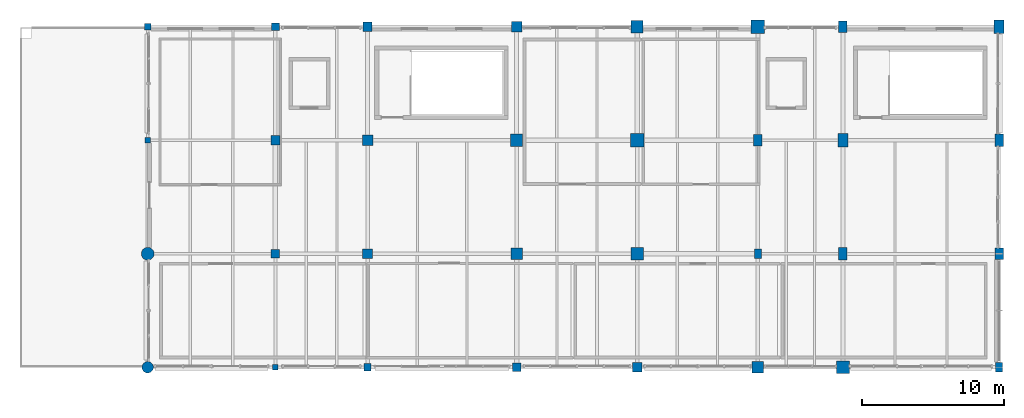
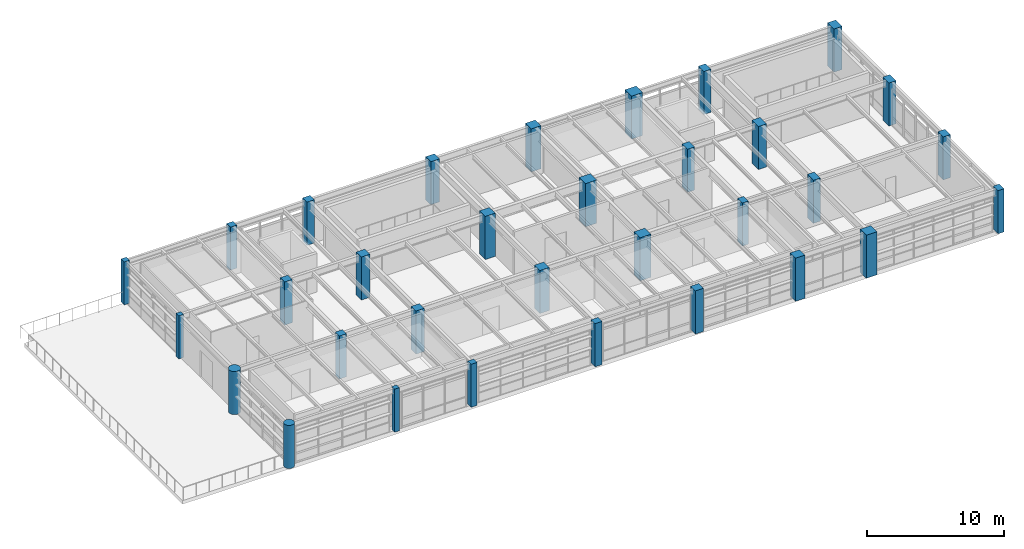
# One storey, part 1 of 26: 32 columns.
"""IFC4 building model written with IfcOpenShell, lengths in metres."""

from ifc_helpers import new_model, si_unit, direction, frame, origin, origin_2d, place, context, subcontext, project, spatial, rectangle, circle, extrude, material, material_profile, profile_set, type_object, element, save


model = new_model("IFC4")

# Units and contexts
model_context = context("Model", 3, precision=1e-05, world=origin(), true_north=direction((0.0, 1.0)))
body_context = subcontext(model_context, "Body", "Model", "MODEL_VIEW")
ifc_project = project(units=[si_unit("LENGTHUNIT", "METRE"), si_unit("AREAUNIT", "SQUARE_METRE"), si_unit("VOLUMEUNIT", "CUBIC_METRE"), si_unit("PLANEANGLEUNIT", "RADIAN"), si_unit("MASSUNIT", "GRAM", prefix="KILO"), si_unit("THERMODYNAMICTEMPERATUREUNIT", "KELVIN"), si_unit("POWERUNIT", "WATT")], contexts=[model_context])

# Site, building, storey
site_placement = place(None, origin())
site = spatial("IfcSite", under=ifc_project, at=site_placement, CompositionType="ELEMENT")
building_placement = place(site_placement, origin())
building = spatial("IfcBuilding", under=site, at=building_placement, Name="Tepalcoro Natatorium and Aquatics Centre", CompositionType="ELEMENT")
storey_placement = place(building_placement, frame((0.0, 0.0, 19.0)))
storey = spatial("IfcBuildingStorey", under=building, at=storey_placement, Name="L04", CompositionType="ELEMENT", Elevation=19.0)

# Columns
ifc_material = material(Name="Concrete C40/50 (fc 40 MPa)", Category="concrete")
ifc_material_profile_1 = material_profile(ifc_material, rectangle(XDim=0.39990234375, YDim=0.39990234375, at=origin_2d()), Name="RC400x400")
ifc_profile_set_1 = profile_set([ifc_material_profile_1], Name="Concrete C40/50 (fc 40 MPa)")
column_type_1 = type_object("IfcColumnType", Name="COL_RC_400x400", PredefinedType="COLUMN", material=ifc_profile_set_1)
for number, where, z_axis, x_axis, name in (
    (1, (116.0, 110.0, 0.0), (0.0, 0.0, 1.0), (1.0, 0.0, 0.0), "V5 L04 Grid Column (116.0, 110.0)"),
    (2, (125.0, 94.0, 0.0), (0.0, 0.0, 1.0), (1.0, 0.0, 0.0), "V5 L04 Grid Column (125.0, 94.0)"),
):
    element("IfcColumn", number, at=place(storey_placement, frame(where, z_axis=z_axis, x_axis=x_axis)), inside=storey, type_object=column_type_1, Name=name, PredefinedType="COLUMN", context=body_context, shape_type="SweptSolid", body=[
        extrude(rectangle(XDim=0.39990234375, YDim=0.39990234375, at=origin_2d()), origin(), (0.0, 0.0, 1.0), 3.85009765625),
    ])
ifc_material_profile_2 = material_profile(ifc_material, rectangle(XDim=0.449951171875, YDim=0.449951171875, at=origin_2d()), Name="RC450x450")
ifc_profile_set_2 = profile_set([ifc_material_profile_2], Name="Concrete C40/50 (fc 40 MPa)")
column_type_2 = type_object("IfcColumnType", Name="COL_RC_450x450", PredefinedType="COLUMN", material=ifc_profile_set_2)
column_1_placement = place(storey_placement, frame((116.0, 118.0, 0.0), z_axis=(0.0, 0.0, 1.0), x_axis=(1.0, 0.0, 0.0)))
element("IfcColumn", 3, at=column_1_placement, inside=storey, type_object=column_type_2, Name="V5 L04 Grid Column (116.0, 118.0)", PredefinedType="COLUMN", context=body_context, shape_type="SweptSolid", body=[
    extrude(rectangle(XDim=0.449951171875, YDim=0.449951171875, at=origin_2d()), origin(), (0.0, 0.0, 1.0), 3.85009765625),
])
ifc_material_profile_3 = material_profile(ifc_material, rectangle(XDim=0.5, YDim=0.5, at=origin_2d()), Name="RC500x500")
ifc_profile_set_3 = profile_set([ifc_material_profile_3], Name="Concrete C40/50 (fc 40 MPa)")
column_type_3 = type_object("IfcColumnType", Name="COL_RC_500x500", PredefinedType="COLUMN", material=ifc_profile_set_3)
column_2_placement = place(storey_placement, frame((131.5, 94.0, 0.0), z_axis=(0.0, 0.0, 1.0), x_axis=(1.0, 0.0, 0.0)))
element("IfcColumn", 4, at=column_2_placement, inside=storey, type_object=column_type_3, Name="V5 L04 Grid Column (131.5, 94.0)", PredefinedType="COLUMN", context=body_context, shape_type="SweptSolid", body=[
    extrude(rectangle(XDim=0.5, YDim=0.5, at=origin_2d()), origin(), (0.0, 0.0, 1.0), 3.85009765625),
])
ifc_material_profile_4 = material_profile(ifc_material, rectangle(XDim=0.5, YDim=0.699951171875, at=origin_2d()), Name="RC500x700")
ifc_profile_set_4 = profile_set([ifc_material_profile_4], Name="Concrete C40/50 (fc 40 MPa)")
column_type_4 = type_object("IfcColumnType", Name="COL_RC_500x700", PredefinedType="COLUMN", material=ifc_profile_set_4)
for number, where, z_axis, x_axis, name in (
    (5, (159.0, 102.0, 0.0), (0.0, 0.0, 1.0), (1.0, 0.0, 0.0), "V5 L04 Grid Column (159.0, 102.0)"),
    (6, (176.0, 94.0, 0.0), (0.0, 0.0, 1.0), (1.0, 0.0, 0.0), "V5 L04 Grid Column (176.0, 94.0)"),
):
    element("IfcColumn", number, at=place(storey_placement, frame(where, z_axis=z_axis, x_axis=x_axis)), inside=storey, type_object=column_type_4, Name=name, PredefinedType="COLUMN", context=body_context, shape_type="SweptSolid", body=[
        extrude(rectangle(XDim=0.5, YDim=0.699951171875, at=origin_2d()), origin(), (0.0, 0.0, 1.0), 3.85009765625),
    ])
ifc_material_profile_5 = material_profile(ifc_material, rectangle(XDim=0.550048828125, YDim=0.550048828125, at=origin_2d()), Name="RC550x550")
ifc_profile_set_5 = profile_set([ifc_material_profile_5], Name="Concrete C40/50 (fc 40 MPa)")
column_type_5 = type_object("IfcColumnType", Name="COL_RC_550x550", PredefinedType="COLUMN", material=ifc_profile_set_5)
column_3_placement = place(storey_placement, frame((125.0, 118.0, 0.0), z_axis=(0.0, 0.0, 1.0), x_axis=(1.0, 0.0, 0.0)))
element("IfcColumn", 7, at=column_3_placement, inside=storey, type_object=column_type_5, Name="V5 L04 Grid Column (125.0, 118.0)", PredefinedType="COLUMN", context=body_context, shape_type="SweptSolid", body=[
    extrude(rectangle(XDim=0.550048828125, YDim=0.550048828125, at=origin_2d()), origin(), (0.0, 0.0, 1.0), 3.85009765625),
])
ifc_material_profile_6 = material_profile(ifc_material, rectangle(XDim=0.60009765625, YDim=0.60009765625, at=origin_2d()), Name="RC600x600")
ifc_profile_set_6 = profile_set([ifc_material_profile_6], Name="Concrete C40/50 (fc 40 MPa)")
column_type_6 = type_object("IfcColumnType", Name="COL_RC_600x600", PredefinedType="COLUMN", material=ifc_profile_set_6)
for number, where, z_axis, x_axis, name in (
    (8, (125.0, 102.0, 0.0), (0.0, 0.0, 1.0), (1.0, 0.0, 0.0), "V5 L04 Grid Column (125.0, 102.0)"),
    (9, (142.0, 94.0, 0.0), (0.0, 0.0, 1.0), (1.0, 0.0, 0.0), "V5 L04 Grid Column (142.0, 94.0)"),
):
    element("IfcColumn", number, at=place(storey_placement, frame(where, z_axis=z_axis, x_axis=x_axis)), inside=storey, type_object=column_type_6, Name=name, PredefinedType="COLUMN", context=body_context, shape_type="SweptSolid", body=[
        extrude(rectangle(XDim=0.60009765625, YDim=0.60009765625, at=origin_2d()), origin(), (0.0, 0.0, 1.0), 3.85009765625),
    ])
ifc_material_profile_7 = material_profile(ifc_material, rectangle(XDim=0.60009765625, YDim=0.800048828125, at=origin_2d()), Name="RC600x800")
ifc_profile_set_7 = profile_set([ifc_material_profile_7], Name="Concrete C40/50 (fc 40 MPa)")
column_type_7 = type_object("IfcColumnType", Name="COL_RC_600x800", PredefinedType="COLUMN", material=ifc_profile_set_7)
for number, where, z_axis, x_axis, name in (
    (10, (159.0, 110.0, 0.0), (0.0, 0.0, 1.0), (1.0, 0.0, 0.0), "V5 L04 Grid Column (159.0, 110.0)"),
    (11, (165.0, 118.0, 0.0), (0.0, 0.0, 1.0), (1.0, 0.0, 0.0), "V5 L04 Grid Column (165.0, 118.0)"),
    (12, (176.0, 102.0, 0.0), (0.0, 0.0, 1.0), (1.0, 0.0, 0.0), "V5 L04 Grid Column (176.0, 102.0)"),
):
    element("IfcColumn", number, at=place(storey_placement, frame(where, z_axis=z_axis, x_axis=x_axis)), inside=storey, type_object=column_type_7, Name=name, PredefinedType="COLUMN", context=body_context, shape_type="SweptSolid", body=[
        extrude(rectangle(XDim=0.60009765625, YDim=0.800048828125, at=origin_2d()), origin(), (0.0, 0.0, 1.0), 3.85009765625),
    ])
ifc_material_profile_8 = material_profile(ifc_material, rectangle(XDim=0.60009765625, YDim=0.89990234375, at=origin_2d()), Name="RC600x900")
ifc_profile_set_8 = profile_set([ifc_material_profile_8], Name="Concrete C40/50 (fc 40 MPa)")
column_type_8 = type_object("IfcColumnType", Name="COL_RC_600x900", PredefinedType="COLUMN", material=ifc_profile_set_8)
for number, where, z_axis, x_axis, name in (
    (13, (165.0, 102.0, 0.0), (0.0, 0.0, 1.0), (1.0, 0.0, 0.0), "V5 L04 Grid Column (165.0, 102.0)"),
    (14, (176.0, 110.0, 0.0), (0.0, 0.0, 1.0), (1.0, 0.0, 0.0), "V5 L04 Grid Column (176.0, 110.0)"),
):
    element("IfcColumn", number, at=place(storey_placement, frame(where, z_axis=z_axis, x_axis=x_axis)), inside=storey, type_object=column_type_8, Name=name, PredefinedType="COLUMN", context=body_context, shape_type="SweptSolid", body=[
        extrude(rectangle(XDim=0.60009765625, YDim=0.89990234375, at=origin_2d()), origin(), (0.0, 0.0, 1.0), 3.85009765625),
    ])
ifc_material_profile_9 = material_profile(ifc_material, rectangle(XDim=0.64990234375, YDim=0.64990234375, at=origin_2d()), Name="RC650x650")
ifc_profile_set_9 = profile_set([ifc_material_profile_9], Name="Concrete C40/50 (fc 40 MPa)")
column_type_9 = type_object("IfcColumnType", Name="COL_RC_650x650", PredefinedType="COLUMN", material=ifc_profile_set_9)
for number, where, z_axis, x_axis, name in (
    (15, (125.0, 110.0, 0.0), (0.0, 0.0, 1.0), (1.0, 0.0, 0.0), "V5 L04 Grid Column (125.0, 110.0)"),
    (16, (131.5, 118.0, 0.0), (0.0, 0.0, 1.0), (1.0, 0.0, 0.0), "V5 L04 Grid Column (131.5, 118.0)"),
):
    element("IfcColumn", number, at=place(storey_placement, frame(where, z_axis=z_axis, x_axis=x_axis)), inside=storey, type_object=column_type_9, Name=name, PredefinedType="COLUMN", context=body_context, shape_type="SweptSolid", body=[
        extrude(rectangle(XDim=0.64990234375, YDim=0.64990234375, at=origin_2d()), origin(), (0.0, 0.0, 1.0), 3.85009765625),
    ])
ifc_material_profile_10 = material_profile(ifc_material, rectangle(XDim=0.699951171875, YDim=0.699951171875, at=origin_2d()), Name="RC700x700")
ifc_profile_set_10 = profile_set([ifc_material_profile_10], Name="Concrete C40/50 (fc 40 MPa)")
column_type_10 = type_object("IfcColumnType", Name="COL_RC_700x700", PredefinedType="COLUMN", material=ifc_profile_set_10)
for number, where, z_axis, x_axis, name in (
    (17, (131.5, 102.0, 0.0), (0.0, 0.0, 1.0), (1.0, 0.0, 0.0), "V5 L04 Grid Column (131.5, 102.0)"),
    (18, (150.5, 94.0, 0.0), (0.0, 0.0, 1.0), (1.0, 0.0, 0.0), "V5 L04 Grid Column (150.5, 94.0)"),
):
    element("IfcColumn", number, at=place(storey_placement, frame(where, z_axis=z_axis, x_axis=x_axis)), inside=storey, type_object=column_type_10, Name=name, PredefinedType="COLUMN", context=body_context, shape_type="SweptSolid", body=[
        extrude(rectangle(XDim=0.699951171875, YDim=0.699951171875, at=origin_2d()), origin(), (0.0, 0.0, 1.0), 3.85009765625),
    ])
ifc_material_profile_11 = material_profile(ifc_material, rectangle(XDim=0.699951171875, YDim=0.949951171875, at=origin_2d()), Name="RC700x950")
ifc_profile_set_11 = profile_set([ifc_material_profile_11], Name="Concrete C40/50 (fc 40 MPa)")
column_type_11 = type_object("IfcColumnType", Name="COL_RC_700x950", PredefinedType="COLUMN", material=ifc_profile_set_11)
for number, where, z_axis, x_axis, name in (
    (19, (165.0, 110.0, 0.0), (0.0, 0.0, 1.0), (1.0, 0.0, 0.0), "V5 L04 Grid Column (165.0, 110.0)"),
    (20, (176.0, 118.0, 0.0), (0.0, 0.0, 1.0), (1.0, 0.0, 0.0), "V5 L04 Grid Column (176.0, 118.0)"),
):
    element("IfcColumn", number, at=place(storey_placement, frame(where, z_axis=z_axis, x_axis=x_axis)), inside=storey, type_object=column_type_11, Name=name, PredefinedType="COLUMN", context=body_context, shape_type="SweptSolid", body=[
        extrude(rectangle(XDim=0.699951171875, YDim=0.949951171875, at=origin_2d()), origin(), (0.0, 0.0, 1.0), 3.85009765625),
    ])
ifc_material_profile_12 = material_profile(ifc_material, rectangle(XDim=0.75, YDim=0.75, at=origin_2d()), Name="RC750x750")
ifc_profile_set_12 = profile_set([ifc_material_profile_12], Name="Concrete C40/50 (fc 40 MPa)")
column_type_12 = type_object("IfcColumnType", Name="COL_RC_750x750", PredefinedType="COLUMN", material=ifc_profile_set_12)
for number, where, z_axis, x_axis, name in (
    (21, (131.5, 110.0, 0.0), (0.0, 0.0, 1.0), (1.0, 0.0, 0.0), "V5 L04 Grid Column (131.5, 110.0)"),
    (22, (142.0, 118.0, 0.0), (0.0, 0.0, 1.0), (1.0, 0.0, 0.0), "V5 L04 Grid Column (142.0, 118.0)"),
):
    element("IfcColumn", number, at=place(storey_placement, frame(where, z_axis=z_axis, x_axis=x_axis)), inside=storey, type_object=column_type_12, Name=name, PredefinedType="COLUMN", context=body_context, shape_type="SweptSolid", body=[
        extrude(rectangle(XDim=0.75, YDim=0.75, at=origin_2d()), origin(), (0.0, 0.0, 1.0), 3.85009765625),
    ])
ifc_material_profile_13 = material_profile(ifc_material, rectangle(XDim=0.800048828125, YDim=0.800048828125, at=origin_2d()), Name="RC800x800")
ifc_profile_set_13 = profile_set([ifc_material_profile_13], Name="Concrete C40/50 (fc 40 MPa)")
column_type_13 = type_object("IfcColumnType", Name="COL_RC_800x800", PredefinedType="COLUMN", material=ifc_profile_set_13)
for number, where, z_axis, x_axis, name in (
    (23, (142.0, 102.0, 0.0), (0.0, 0.0, 1.0), (1.0, 0.0, 0.0), "V5 L04 Grid Column (142.0, 102.0)"),
    (24, (159.0, 94.0, 0.0), (0.0, 0.0, 1.0), (1.0, 0.0, 0.0), "V5 L04 Grid Column (159.0, 94.0)"),
):
    element("IfcColumn", number, at=place(storey_placement, frame(where, z_axis=z_axis, x_axis=x_axis)), inside=storey, type_object=column_type_13, Name=name, PredefinedType="COLUMN", context=body_context, shape_type="SweptSolid", body=[
        extrude(rectangle(XDim=0.800048828125, YDim=0.800048828125, at=origin_2d()), origin(), (0.0, 0.0, 1.0), 3.85009765625),
    ])
ifc_material_profile_14 = material_profile(ifc_material, rectangle(XDim=0.85009765625, YDim=0.85009765625, at=origin_2d()), Name="RC850x850")
ifc_profile_set_14 = profile_set([ifc_material_profile_14], Name="Concrete C40/50 (fc 40 MPa)")
column_type_14 = type_object("IfcColumnType", Name="COL_RC_850x850", PredefinedType="COLUMN", material=ifc_profile_set_14)
for number, where, z_axis, x_axis, name in (
    (25, (142.0, 110.0, 0.0), (0.0, 0.0, 1.0), (1.0, 0.0, 0.0), "V5 L04 Grid Column (142.0, 110.0)"),
    (26, (150.5, 118.0, 0.0), (0.0, 0.0, 1.0), (1.0, 0.0, 0.0), "V5 L04 Grid Column (150.5, 118.0)"),
):
    element("IfcColumn", number, at=place(storey_placement, frame(where, z_axis=z_axis, x_axis=x_axis)), inside=storey, type_object=column_type_14, Name=name, PredefinedType="COLUMN", context=body_context, shape_type="SweptSolid", body=[
        extrude(rectangle(XDim=0.85009765625, YDim=0.85009765625, at=origin_2d()), origin(), (0.0, 0.0, 1.0), 3.85009765625),
    ])
ifc_material_profile_15 = material_profile(ifc_material, rectangle(XDim=0.89990234375, YDim=0.89990234375, at=origin_2d()), Name="RC900x900")
ifc_profile_set_15 = profile_set([ifc_material_profile_15], Name="Concrete C40/50 (fc 40 MPa)")
column_type_15 = type_object("IfcColumnType", Name="COL_RC_900x900", PredefinedType="COLUMN", material=ifc_profile_set_15)
for number, where, z_axis, x_axis, name in (
    (27, (150.5, 102.0, 0.0), (0.0, 0.0, 1.0), (1.0, 0.0, 0.0), "V5 L04 Grid Column (150.5, 102.0)"),
    (28, (165.0, 94.0, 0.0), (0.0, 0.0, 1.0), (1.0, 0.0, 0.0), "V5 L04 Grid Column (165.0, 94.0)"),
):
    element("IfcColumn", number, at=place(storey_placement, frame(where, z_axis=z_axis, x_axis=x_axis)), inside=storey, type_object=column_type_15, Name=name, PredefinedType="COLUMN", context=body_context, shape_type="SweptSolid", body=[
        extrude(rectangle(XDim=0.89990234375, YDim=0.89990234375, at=origin_2d()), origin(), (0.0, 0.0, 1.0), 3.85009765625),
    ])
ifc_material_profile_16 = material_profile(ifc_material, rectangle(XDim=0.949951171875, YDim=0.949951171875, at=origin_2d()), Name="RC950x950")
ifc_profile_set_16 = profile_set([ifc_material_profile_16], Name="Concrete C40/50 (fc 40 MPa)")
column_type_16 = type_object("IfcColumnType", Name="COL_RC_950x950", PredefinedType="COLUMN", material=ifc_profile_set_16)
for number, where, z_axis, x_axis, name in (
    (29, (150.5, 110.0, 0.0), (0.0, 0.0, 1.0), (1.0, 0.0, 0.0), "V5 L04 Grid Column (150.5, 110.0)"),
    (30, (159.0, 118.0, 0.0), (0.0, 0.0, 1.0), (1.0, 0.0, 0.0), "V5 L04 Grid Column (159.0, 118.0)"),
):
    element("IfcColumn", number, at=place(storey_placement, frame(where, z_axis=z_axis, x_axis=x_axis)), inside=storey, type_object=column_type_16, Name=name, PredefinedType="COLUMN", context=body_context, shape_type="SweptSolid", body=[
        extrude(rectangle(XDim=0.949951171875, YDim=0.949951171875, at=origin_2d()), origin(), (0.0, 0.0, 1.0), 3.85009765625),
    ])
ifc_material_profile_17 = material_profile(ifc_material, circle(Radius=0.39990234375, at=origin_2d()), Name="RCD800")
ifc_profile_set_17 = profile_set([ifc_material_profile_17], Name="Concrete C40/50 (fc 40 MPa)")
column_type_17 = type_object("IfcColumnType", Name="COL_RC_D800", PredefinedType="COLUMN", material=ifc_profile_set_17)
column_4_placement = place(storey_placement, frame((116.0, 94.0, 0.0), z_axis=(0.0, 0.0, 1.0), x_axis=(1.0, 0.0, 0.0)))
element("IfcColumn", 31, at=column_4_placement, inside=storey, type_object=column_type_17, Name="V5 L04 Grid Column (116.0, 94.0)", PredefinedType="COLUMN", context=body_context, shape_type="SweptSolid", body=[
    extrude(circle(Radius=0.39990234375, at=origin_2d()), origin(), (0.0, 0.0, 1.0), 3.85009765625),
])
ifc_material_profile_18 = material_profile(ifc_material, circle(Radius=0.449951171875, at=origin_2d()), Name="RCD900")
ifc_profile_set_18 = profile_set([ifc_material_profile_18], Name="Concrete C40/50 (fc 40 MPa)")
column_type_18 = type_object("IfcColumnType", Name="COL_RC_D900", PredefinedType="COLUMN", material=ifc_profile_set_18)
column_5_placement = place(storey_placement, frame((116.0, 102.0, 0.0), z_axis=(0.0, 0.0, 1.0), x_axis=(1.0, 0.0, 0.0)))
element("IfcColumn", 32, at=column_5_placement, inside=storey, type_object=column_type_18, Name="V5 L04 Grid Column (116.0, 102.0)", PredefinedType="COLUMN", context=body_context, shape_type="SweptSolid", body=[
    extrude(circle(Radius=0.449951171875, at=origin_2d()), origin(), (0.0, 0.0, 1.0), 3.85009765625),
])

save(model, "model.ifc")
